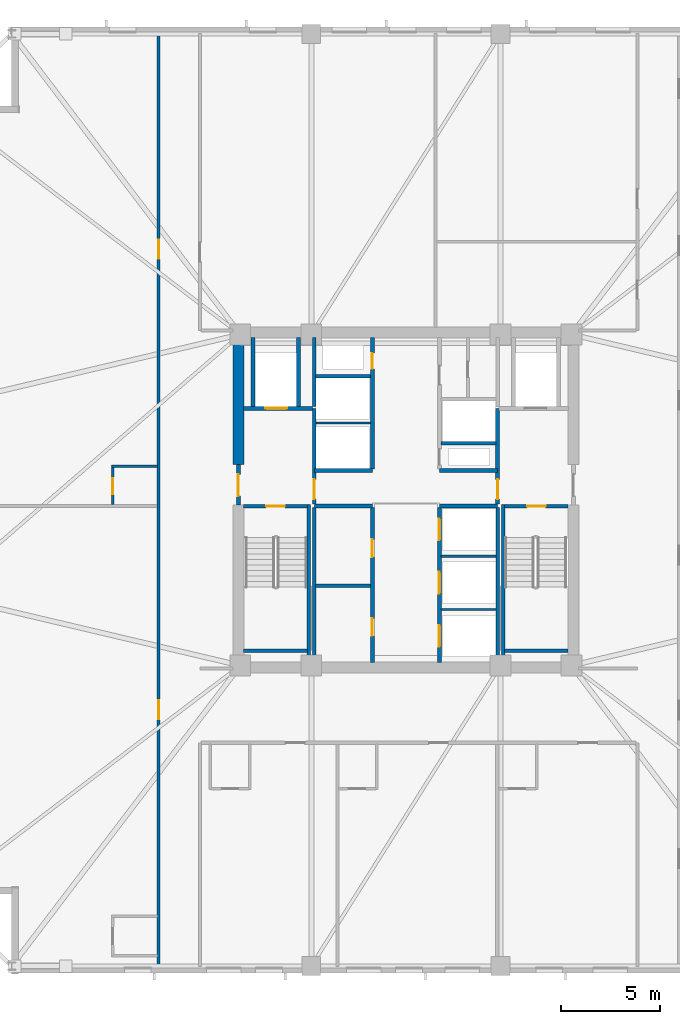
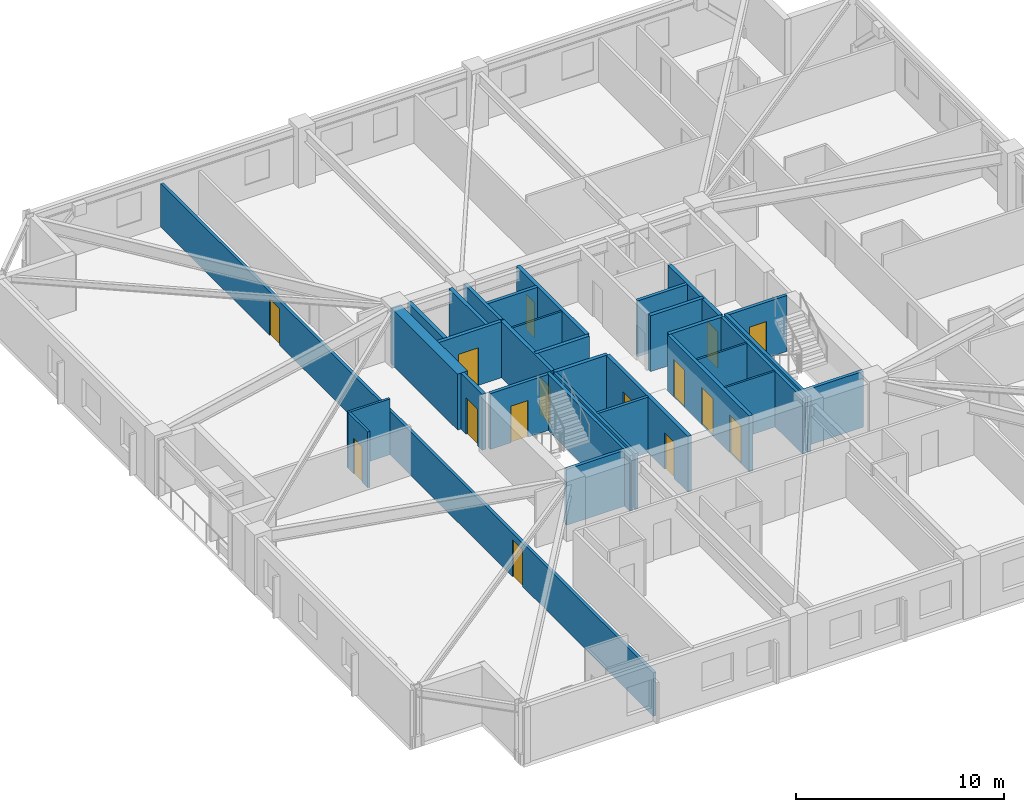
# One storey, part 3 of 11: 32 walls, 15 doors, 15 openings.
"""IFC4 building model written with IfcOpenShell, lengths in metres."""

import ifcopenshell
import ifcopenshell.guid

model = None  # the IFC model being written
_history = None  # IfcOwnerHistory: only IFC2X3 demands one
_inside = {}  # id of a spatial element -> (the spatial element, [elements in it])
_under = {}  # id of a project, library or spatial element -> (it, [spatial elements below it])
_declared = {}  # id of a project -> (the project, [libraries it declares])
_typed = {}  # id of a type object -> (the type object, [elements of that type])
_made_of = {}  # id of a material, layer set ... -> (it, [elements and type objects made of it])


def new_model(schema):
    """Start an empty IFC model of exactly this schema.

    Asked for "IFC4X3", IfcOpenShell would pick the latest addendum, in which some entities
    have other attributes; the version numbers below select the first issue.
    IFC2X3 requires an IfcOwnerHistory on every rooted entity: one is made here for all.
    """
    global model, _history
    if schema == "IFC4X3":
        model = ifcopenshell.file(schema_version=(4, 3, 0, 0))
    else:
        model = ifcopenshell.file(schema=schema)
    _inside.clear()
    _under.clear()
    _declared.clear()
    _typed.clear()
    _made_of.clear()
    _history = None
    if model.schema == "IFC2X3":
        org = make("IfcOrganization", Name="unknown")
        user = make(
            "IfcPersonAndOrganization",
            ThePerson=make("IfcPerson", FamilyName="unknown"),
            TheOrganization=org,
        )
        app = make(
            "IfcApplication",
            ApplicationDeveloper=org,
            Version="unknown",
            ApplicationFullName="unknown",
            ApplicationIdentifier="unknown",
        )
        _history = make(
            "IfcOwnerHistory",
            OwningUser=user,
            OwningApplication=app,
            ChangeAction="ADDED",
            CreationDate=0,
        )
    return model


def make(cls, **values):
    """One entity of the class cls with the attributes given. An attribute that is None is left unset."""
    return model.create_entity(
        cls, **{name: value for name, value in values.items() if value is not None}
    )


def rooted(cls, **values):
    """An entity with a GlobalId (a new one), such as an element, a storey or a relation."""
    return make(cls, GlobalId=ifcopenshell.guid.new(), OwnerHistory=_history, **values)


def si_unit(unit_type, name, prefix=None):
    """IfcSIUnit, for example si_unit("LENGTHUNIT", "METRE", prefix="MILLI")."""
    return make("IfcSIUnit", UnitType=unit_type, Prefix=prefix, Name=name)


def assignment(units):
    """IfcUnitAssignment: the units of a project."""
    return None if units is None else make("IfcUnitAssignment", Units=units)


def point(xyz):
    """IfcCartesianPoint."""
    return None if xyz is None else make("IfcCartesianPoint", Coordinates=xyz)


def direction(xyz):
    """IfcDirection."""
    return None if xyz is None else make("IfcDirection", DirectionRatios=xyz)


def frame(location, z_axis=None, x_axis=None):
    """IfcAxis2Placement3D, a coordinate frame: its origin and axes. An axis left out is left unset."""
    return make(
        "IfcAxis2Placement3D",
        Location=point(location),
        Axis=direction(z_axis),
        RefDirection=direction(x_axis),
    )


def frame_2d(location, x_axis=None):
    """IfcAxis2Placement2D, a coordinate frame in the plane: its origin and x axis."""
    return make(
        "IfcAxis2Placement2D", Location=point(location), RefDirection=direction(x_axis)
    )


def origin():
    """The frame at (0, 0, 0) with its axes left unset."""
    return frame((0.0, 0.0, 0.0))


def place(relative_to, where):
    """IfcLocalPlacement: puts the frame where relative to a parent placement (None: the world)."""
    return make(
        "IfcLocalPlacement", PlacementRelTo=relative_to, RelativePlacement=where
    )


def context(
    kind, dimensions, precision=None, world=None, true_north=None, identifier=None
):
    """IfcGeometricRepresentationContext, for example the 3D "Model" context."""
    return make(
        "IfcGeometricRepresentationContext",
        ContextIdentifier=identifier,
        ContextType=kind,
        CoordinateSpaceDimension=dimensions,
        Precision=precision,
        WorldCoordinateSystem=world,
        TrueNorth=true_north,
    )


def subcontext(parent, identifier, kind, view, scale=None):
    """IfcGeometricRepresentationSubContext, for example "Body" below "Model"."""
    return make(
        "IfcGeometricRepresentationSubContext",
        ContextIdentifier=identifier,
        ContextType=kind,
        ParentContext=parent,
        TargetScale=scale,
        TargetView=view,
    )


def project(units=None, contexts=None):
    """IfcProject with its units and contexts."""
    return rooted(
        "IfcProject",
        Name="project",
        RepresentationContexts=contexts,
        UnitsInContext=assignment(units),
    )


def spatial(cls, under=None, at=None, **own):
    """A site, building, storey or space (cls), placed at a placement, below another one or the project."""
    s = rooted(cls, ObjectPlacement=at, **own)
    if under is not None:
        _under.setdefault(under.id(), (under, []))[1].append(s)
    return s


def profile(cls, at=None, kind="AREA", **sizes):
    """A parametric profile (cls). Its sizes go by their IFC names, for example OverallWidth=200.0."""
    return make(cls, ProfileType=kind, Position=at, **sizes)


def rectangle(**sizes):
    """IfcRectangleProfileDef."""
    return profile("IfcRectangleProfileDef", **sizes)


def extrude(swept, where, along, depth):
    """IfcExtrudedAreaSolid: the profile swept, set in the frame where, extruded along a direction by depth."""
    return make(
        "IfcExtrudedAreaSolid",
        SweptArea=swept,
        Position=where,
        ExtrudedDirection=direction(along),
        Depth=depth,
    )


def shape(context_of_items, identifier, shape_type, items):
    """IfcShapeRepresentation: the items that make up one representation, for example the "Body"."""
    return make(
        "IfcShapeRepresentation",
        ContextOfItems=context_of_items,
        RepresentationIdentifier=identifier,
        RepresentationType=shape_type,
        Items=items,
    )


def material(Name=None, Category=None):
    """IfcMaterial."""
    return make("IfcMaterial", Name=Name, Category=Category)


def layer(
    of_material, thickness, ventilated=None, Name=None, Category=None, Priority=None
):
    """IfcMaterialLayer: one layer of a wall or slab, of a material (None: an air gap)."""
    return make(
        "IfcMaterialLayer",
        Material=of_material,
        LayerThickness=thickness,
        IsVentilated=ventilated,
        Name=Name,
        Category=Category,
        Priority=Priority,
    )


def layer_set(layers, Name=None):
    """IfcMaterialLayerSet."""
    return make("IfcMaterialLayerSet", MaterialLayers=layers, LayerSetName=Name)


def made_of(thing, what):
    """Note that an element or type object is made of a material, layer set ...; save() writes the relation."""
    if what is not None:
        _made_of.setdefault(what.id(), (what, []))[1].append(thing)
    return thing


def type_object(cls, material=None, **own):
    """A type object (cls), such as IfcWallType, which elements share."""
    return made_of(rooted(cls, **own), material)


def element(
    cls,
    number,
    at=None,
    inside=None,
    cuts=None,
    type_object=None,
    material=None,
    context=None,
    identifier="Body",
    shape_type=None,
    held_by="IfcProductDefinitionShape",
    body=None,
    shapes=None,
    **own,
):
    """One element of the class cls, such as IfcWall. Its Tag is "e" and its number.

    at: its placement. inside: the storey or other place that contains it. cuts: it is an
    opening in that element (IfcRelVoidsElement). A single representation is given by context,
    identifier, shape_type and body (its items); several are given by shapes. held_by: the class
    of the entity that holds the representations. save() writes the other relations.
    """
    e = rooted(cls, Tag="e%d" % number, ObjectPlacement=at, **own)
    if body is not None:
        shapes = [shape(context, identifier, shape_type, body)]
    if shapes is not None:
        e.Representation = make(held_by, Representations=shapes)
    if inside is not None:
        _inside.setdefault(inside.id(), (inside, []))[1].append(e)
    if cuts is not None:
        rooted(
            "IfcRelVoidsElement", RelatingBuildingElement=cuts, RelatedOpeningElement=e
        )
    if type_object is not None:
        _typed.setdefault(type_object.id(), (type_object, []))[1].append(e)
    return made_of(e, material)


def fill(opening, filler):
    """IfcRelFillsElement: the door or window that sits in an opening."""
    return rooted(
        "IfcRelFillsElement",
        RelatingOpeningElement=opening,
        RelatedBuildingElement=filler,
    )


def aggregate(whole, parts):
    """IfcRelAggregates: a whole, such as a stair, and the parts it consists of."""
    return rooted("IfcRelAggregates", RelatingObject=whole, RelatedObjects=parts)


def save(model, path):
    """Write the relations noted so far, then the file.

    IfcRelAggregates (storeys below a building ...), IfcRelContainedInSpatialStructure (elements
    in a storey), IfcRelDefinesByType, IfcRelAssociatesMaterial and IfcRelDeclares: one each for
    every whole, place, type object, material and project.
    """
    for whole, parts in _under.values():
        aggregate(whole, parts)
    for where, things in _inside.values():
        rooted(
            "IfcRelContainedInSpatialStructure",
            RelatedElements=things,
            RelatingStructure=where,
        )
    for kind, things in _typed.values():
        rooted("IfcRelDefinesByType", RelatedObjects=things, RelatingType=kind)
    for what, things in _made_of.values():
        rooted("IfcRelAssociatesMaterial", RelatedObjects=things, RelatingMaterial=what)
    for by, libraries in _declared.values():
        rooted("IfcRelDeclares", RelatingContext=by, RelatedDefinitions=libraries)
    model.write(path)


model = new_model("IFC4")

# Units and contexts
model_context = context("Model", 3, precision=1e-05, world=origin(), true_north=direction((0.0, 1.0)))
body_context = subcontext(model_context, "Body", "Model", "MODEL_VIEW")
ifc_project = project(units=[si_unit("LENGTHUNIT", "METRE"), si_unit("AREAUNIT", "SQUARE_METRE"), si_unit("VOLUMEUNIT", "CUBIC_METRE"), si_unit("PLANEANGLEUNIT", "RADIAN"), si_unit("MASSUNIT", "GRAM", prefix="KILO")], contexts=[model_context])

# Site, building, storey
site_placement = place(None, origin())
site = spatial("IfcSite", under=ifc_project, at=site_placement, CompositionType="ELEMENT")
building_placement = place(site_placement, origin())
building = spatial("IfcBuilding", under=site, at=building_placement, Name="Cairnveth Concourse Tower", CompositionType="ELEMENT")
storey_placement = place(building_placement, frame((0.0, 0.0, 127.0)))
storey = spatial("IfcBuildingStorey", under=building, at=storey_placement, Name="L34", CompositionType="ELEMENT", Elevation=127.0)

# Walls
ifc_material_1 = material(Name="Gypsum Plasterboard Partition", Category="gypsum")
ifc_layer_1 = layer(ifc_material_1, 0.159912109375)
ifc_layer_set_1 = layer_set([ifc_layer_1], Name="Gypsum Plasterboard Partition")
wall_type_1 = type_object("IfcWallType", Name="ACOUSTIC PARTY WALL 180", PredefinedType="PARTITIONING", material=ifc_layer_set_1)
wall_1_placement = place(storey_placement, frame((47.35009765625, 30.760009765625, 0.0), z_axis=(0.0, 0.0, 1.0), x_axis=(0.0, 1.0, 0.0)))
element("IfcWall", 1, at=wall_1_placement, inside=storey, type_object=wall_type_1, Name="Interior Wall IW-L34-025", PredefinedType="PARTITIONING", context=body_context, shape_type="SweptSolid", body=[
    extrude(rectangle(XDim=7.85498046875, YDim=0.159912109375, at=frame_2d((3.927490234375, 0.0))), origin(), (0.0, 0.0, 1.0), 3.280029296875),
])
wall_2_placement = place(storey_placement, frame((47.4150390625, 34.64990234375, 0.0), z_axis=(0.0, 0.0, 1.0), x_axis=(1.0, 0.0, 0.0)))
element("IfcWall", 2, at=wall_2_placement, inside=storey, type_object=wall_type_1, Name="Interior Wall IW-L34-026", PredefinedType="PARTITIONING", context=body_context, shape_type="SweptSolid", body=[
    extrude(rectangle(XDim=2.800048828125, YDim=0.159912109375, at=frame_2d((1.39990234375, 0.0))), origin(), (0.0, 0.0, 1.0), 3.280029296875),
])

# Wall, openings, doors
wall_3_placement = place(storey_placement, frame((39.449951171875, 15.324951171875, 0.0), z_axis=(0.0, 0.0, 1.0), x_axis=(0.0, 1.0, 0.0)))
wall_3 = element("IfcWall", 3, at=wall_3_placement, inside=storey, type_object=wall_type_1, Name="Interior Wall IW-L34-037", PredefinedType="PARTITIONING", context=body_context, shape_type="SweptSolid", body=[
    extrude(rectangle(XDim=47.35009765625, YDim=0.159912109375, at=frame_2d((23.675048828125, 0.0))), origin(), (0.0, 0.0, 1.0), 2.554931640625),
])
opening_1_placement = place(wall_3_placement, frame((12.55712890625, 0.0, 0.0)))
opening_1 = element("IfcOpeningElement", 4, at=opening_1_placement, cuts=wall_3, Name="Opening ID09", PredefinedType="OPENING", context=body_context, shape_type="SweptSolid", body=[
    extrude(rectangle(XDim=0.9599609375, YDim=2.14990234375, at=frame_2d((0.47998046875, 1.074951171875))), frame((0.0, 0.08984375, 0.0), z_axis=(0.0, -1.0, 0.0), x_axis=(1.0, 0.0, 0.0)), (0.0, 0.0, 1.0), 0.179931640625),
])
opening_2_placement = place(wall_3_placement, frame((35.912109375, 0.0, 0.0)))
opening_2 = element("IfcOpeningElement", 5, at=opening_2_placement, cuts=wall_3, Name="Opening ID09", PredefinedType="OPENING", context=body_context, shape_type="SweptSolid", body=[
    extrude(rectangle(XDim=0.9599609375, YDim=2.14990234375, at=frame_2d((0.47998046875, 1.074951171875))), frame((0.0, 0.08984375, 0.0), z_axis=(0.0, -1.0, 0.0), x_axis=(1.0, 0.0, 0.0)), (0.0, 0.0, 1.0), 0.179931640625),
])
ifc_material_2 = material(Name="Solid Core Hardwood Timber Leaf", Category="wood")
door_type_1 = type_object("IfcDoorType", Name="HOTEL ENTRANCE DOOR 960X2150", OperationType="NOTDEFINED", PredefinedType="DOOR", material=ifc_material_2)
door_1_placement = place(opening_1_placement, origin())
door_1 = element("IfcDoor", 6, at=door_1_placement, inside=storey, type_object=door_type_1, Name="Hotel Room Door L34-W1", OperationType="SINGLE_SWING_RIGHT", OverallHeight=2.14990234375, OverallWidth=0.9599609375, PredefinedType="DOOR", context=body_context, shape_type="SweptSolid", body=[
    extrude(rectangle(XDim=0.9599609375, YDim=2.14990234375, at=frame_2d((0.47998046875, 1.074951171875))), frame((0.0, 0.02490234375, 0.0), z_axis=(0.0, -1.0, 0.0), x_axis=(1.0, 0.0, 0.0)), (0.0, 0.0, 1.0), 0.050048828125),
])
fill(opening_1, door_1)
door_2_placement = place(opening_2_placement, origin())
door_2 = element("IfcDoor", 7, at=door_2_placement, inside=storey, type_object=door_type_1, Name="Hotel Room Door L34-W2", OperationType="SINGLE_SWING_RIGHT", OverallHeight=2.14990234375, OverallWidth=0.9599609375, PredefinedType="DOOR", context=body_context, shape_type="SweptSolid", body=[
    extrude(rectangle(XDim=0.9599609375, YDim=2.14990234375, at=frame_2d((0.47998046875, 1.074951171875))), frame((0.0, 0.02490234375, 0.0), z_axis=(0.0, -1.0, 0.0), x_axis=(1.0, 0.0, 0.0)), (0.0, 0.0, 1.0), 0.050048828125),
])
fill(opening_2, door_2)

# Walls
ifc_material_3 = material(Name="Concrete N80 (80 MPa)", Category="concrete")
ifc_layer_2 = layer(ifc_material_3, 0.550048828125)
ifc_layer_set_2 = layer_set([ifc_layer_2], Name="Concrete N80 (80 MPa)")
wall_type_2 = type_object("IfcWallType", Name="CORE SHEAR WALL 550", PredefinedType="SHEAR", material=ifc_layer_set_2)
wall_4_placement = place(storey_placement, frame((43.5, 40.800048828125, 0.0), z_axis=(0.0, 0.0, 1.0), x_axis=(0.0, 1.0, 0.0)))
element("IfcWall", 8, at=wall_4_placement, inside=storey, type_object=wall_type_2, Name="Core West Shear Wall N L34", PredefinedType="SHEAR", context=body_context, shape_type="SweptSolid", body=[
    extrude(rectangle(XDim=6.43505859375, YDim=0.550048828125, at=frame_2d((3.217529296875, 0.0))), origin(), (0.0, 0.0, 1.0), 3.280029296875),
])
ifc_material_4 = material(Name="Concrete N50 (50 MPa)", Category="concrete")
ifc_layer_3 = layer(ifc_material_4, 0.179931640625)
ifc_layer_set_3 = layer_set([ifc_layer_3], Name="Concrete N50 (50 MPa)")
wall_type_3 = type_object("IfcWallType", Name="FIRE SHAFT WALL 180", PredefinedType="SOLIDWALL", material=ifc_layer_set_3)
wall_5_placement = place(storey_placement, frame((56.64990234375, 30.760009765625, 0.0), z_axis=(0.0, 0.0, 1.0), x_axis=(0.0, 1.0, 0.0)))
element("IfcWall", 9, at=wall_5_placement, inside=storey, type_object=wall_type_3, Name="Interior Wall IW-L34-027", PredefinedType="SOLIDWALL", context=body_context, shape_type="SweptSolid", body=[
    extrude(rectangle(XDim=7.85498046875, YDim=0.179931640625, at=frame_2d((3.927490234375, 0.0))), origin(), (0.0, 0.0, 1.0), 3.280029296875),
])
wall_6_placement = place(storey_placement, frame((47.35009765625, 43.735107421875, 0.0), z_axis=(0.0, 0.0, 1.0), x_axis=(0.0, 1.0, 0.0)))
element("IfcWall", 10, at=wall_6_placement, inside=storey, type_object=wall_type_3, Name="Interior Wall IW-L34-030", PredefinedType="SOLIDWALL", context=body_context, shape_type="SweptSolid", body=[
    extrude(rectangle(XDim=3.5048828125, YDim=0.179931640625, at=frame_2d((1.75244140625, 0.0))), origin(), (0.0, 0.0, 1.0), 3.280029296875),
])
wall_7_placement = place(storey_placement, frame((47.425048828125, 45.280029296875, 0.0), z_axis=(0.0, 0.0, 1.0), x_axis=(1.0, 0.0, 0.0)))
element("IfcWall", 11, at=wall_7_placement, inside=storey, type_object=wall_type_3, Name="Interior Wall IW-L34-032", PredefinedType="SOLIDWALL", context=body_context, shape_type="SweptSolid", body=[
    extrude(rectangle(XDim=2.7900390625, YDim=0.179931640625, at=frame_2d((1.39501953125, 0.0))), origin(), (0.0, 0.0, 1.0), 3.280029296875),
])
wall_8_placement = place(storey_placement, frame((53.784912109375, 41.8798828125, 0.0), z_axis=(0.0, 0.0, 1.0), x_axis=(1.0, 0.0, 0.0)))
element("IfcWall", 12, at=wall_8_placement, inside=storey, type_object=wall_type_3, Name="Interior Wall IW-L34-034", PredefinedType="SOLIDWALL", context=body_context, shape_type="SweptSolid", body=[
    extrude(rectangle(XDim=2.780029296875, YDim=0.179931640625, at=frame_2d((1.39013671875, 0.0))), origin(), (0.0, 0.0, 1.0), 3.280029296875),
])

# Wall, opening, door
wall_9_placement = place(storey_placement, frame((43.764892578125, 38.68994140625, 0.0), z_axis=(0.0, 0.0, 1.0), x_axis=(1.0, 0.0, 0.0)))
wall_9 = element("IfcWall", 13, at=wall_9_placement, inside=storey, type_object=wall_type_3, Name="Stair ST-1 Shaft Wall NEAR L34", PredefinedType="SOLIDWALL", context=body_context, shape_type="SweptSolid", body=[
    extrude(rectangle(XDim=3.230224609375, YDim=0.179931640625, at=frame_2d((1.615234375, 0.0))), origin(), (0.0, 0.0, 1.0), 3.280029296875),
])
opening_3_placement = place(wall_9_placement, frame((1.139892578125, 0.0, 0.0)))
opening_3 = element("IfcOpeningElement", 14, at=opening_3_placement, cuts=wall_9, Name="Opening ID12", PredefinedType="OPENING", context=body_context, shape_type="SweptSolid", body=[
    extrude(rectangle(XDim=0.949951171875, YDim=2.14990234375, at=frame_2d((0.47509765625, 1.074951171875))), frame((0.0, 0.099853515625, 0.0), z_axis=(0.0, -1.0, 0.0), x_axis=(1.0, 0.0, 0.0)), (0.0, 0.0, 1.0), 0.199951171875),
])
ifc_material_5 = material(Name="Steel Grade 350", Category="steel")
door_type_2 = type_object("IfcDoorType", Name="FIRE STAIR DOOR 950X2150", OperationType="NOTDEFINED", PredefinedType="DOOR", material=ifc_material_5)
door_3_placement = place(opening_3_placement, origin())
door_3 = element("IfcDoor", 15, at=door_3_placement, inside=storey, type_object=door_type_2, Name="Stair ST-1 Fire Door L34", OperationType="SINGLE_SWING_LEFT", OverallHeight=2.14990234375, OverallWidth=0.949951171875, PredefinedType="DOOR", context=body_context, shape_type="SweptSolid", body=[
    extrude(rectangle(XDim=0.949951171875, YDim=2.14990234375, at=frame_2d((0.47509765625, 1.074951171875))), frame((0.0, 0.02490234375, 0.0), z_axis=(0.0, -1.0, 0.0), x_axis=(1.0, 0.0, 0.0)), (0.0, 0.0, 1.0), 0.050048828125),
])
fill(opening_3, door_3)

# Walls
wall_10_placement = place(storey_placement, frame((43.764892578125, 31.360107421875, 0.0), z_axis=(0.0, 0.0, 1.0), x_axis=(1.0, 0.0, 0.0)))
element("IfcWall", 16, at=wall_10_placement, inside=storey, type_object=wall_type_3, Name="Stair ST-1 Shaft Wall FAR L34", PredefinedType="SOLIDWALL", context=body_context, shape_type="SweptSolid", body=[
    extrude(rectangle(XDim=3.230224609375, YDim=0.179931640625, at=frame_2d((1.615234375, 0.0))), origin(), (0.0, 0.0, 1.0), 3.280029296875),
])
wall_11_placement = place(storey_placement, frame((47.070068359375, 38.780029296875, 0.0), z_axis=(0.0, 0.0, 1.0), x_axis=(0.0, -1.0, 0.0)))
element("IfcWall", 17, at=wall_11_placement, inside=storey, type_object=wall_type_3, Name="Stair ST-1 Shaft Wall RGHT L34", PredefinedType="SOLIDWALL", context=body_context, shape_type="SweptSolid", body=[
    extrude(rectangle(XDim=8.01708984375, YDim=0.179931640625, at=frame_2d((4.008544921875, 0.0))), origin(), (0.0, 0.0, 1.0), 3.280029296875),
])

# Wall, opening, door
wall_12_placement = place(storey_placement, frame((57.0048828125, 38.68994140625, 0.0), z_axis=(0.0, 0.0, 1.0), x_axis=(1.0, 0.0, 0.0)))
wall_12 = element("IfcWall", 18, at=wall_12_placement, inside=storey, type_object=wall_type_3, Name="Stair ST-2 Shaft Wall NEAR L34", PredefinedType="SOLIDWALL", context=body_context, shape_type="SweptSolid", body=[
    extrude(rectangle(XDim=3.230224609375, YDim=0.179931640625, at=frame_2d((1.615234375, 0.0))), origin(), (0.0, 0.0, 1.0), 3.280029296875),
])
opening_4_placement = place(wall_12_placement, frame((1.139892578125, 0.0, 0.0)))
opening_4 = element("IfcOpeningElement", 19, at=opening_4_placement, cuts=wall_12, Name="Opening ID12", PredefinedType="OPENING", context=body_context, shape_type="SweptSolid", body=[
    extrude(rectangle(XDim=0.949951171875, YDim=2.14990234375, at=frame_2d((0.47509765625, 1.074951171875))), frame((0.0, 0.099853515625, 0.0), z_axis=(0.0, -1.0, 0.0), x_axis=(1.0, 0.0, 0.0)), (0.0, 0.0, 1.0), 0.199951171875),
])
door_4_placement = place(opening_4_placement, origin())
door_4 = element("IfcDoor", 20, at=door_4_placement, inside=storey, type_object=door_type_2, Name="Stair ST-2 Fire Door L34", OperationType="SINGLE_SWING_RIGHT", OverallHeight=2.14990234375, OverallWidth=0.949951171875, PredefinedType="DOOR", context=body_context, shape_type="SweptSolid", body=[
    extrude(rectangle(XDim=0.949951171875, YDim=2.14990234375, at=frame_2d((0.47509765625, 1.074951171875))), frame((0.0, 0.02490234375, 0.0), z_axis=(0.0, -1.0, 0.0), x_axis=(1.0, 0.0, 0.0)), (0.0, 0.0, 1.0), 0.050048828125),
])
fill(opening_4, door_4)

# Walls
wall_13_placement = place(storey_placement, frame((57.0048828125, 31.360107421875, 0.0), z_axis=(0.0, 0.0, 1.0), x_axis=(1.0, 0.0, 0.0)))
element("IfcWall", 21, at=wall_13_placement, inside=storey, type_object=wall_type_3, Name="Stair ST-2 Shaft Wall FAR L34", PredefinedType="SOLIDWALL", context=body_context, shape_type="SweptSolid", body=[
    extrude(rectangle(XDim=3.230224609375, YDim=0.179931640625, at=frame_2d((1.615234375, 0.0))), origin(), (0.0, 0.0, 1.0), 3.280029296875),
])
wall_14_placement = place(storey_placement, frame((56.929931640625, 38.780029296875, 0.0), z_axis=(0.0, 0.0, 1.0), x_axis=(0.0, -1.0, 0.0)))
element("IfcWall", 22, at=wall_14_placement, inside=storey, type_object=wall_type_3, Name="Stair ST-2 Shaft Wall LEFT L34", PredefinedType="SOLIDWALL", context=body_context, shape_type="SweptSolid", body=[
    extrude(rectangle(XDim=8.01708984375, YDim=0.179931640625, at=frame_2d((4.008544921875, 0.0))), origin(), (0.0, 0.0, 1.0), 3.280029296875),
])
ifc_layer_4 = layer(ifc_material_4, 0.199951171875)
ifc_layer_set_4 = layer_set([ifc_layer_4], Name="Concrete N50 (50 MPa)")
wall_type_4 = type_object("IfcWallType", Name="FIRE SHAFT WALL 200", PredefinedType="SOLIDWALL", material=ifc_layer_set_4)
for number, where, z_axis, x_axis, name in (
    (23, (47.35009765625, 38.699951171875, 0.0), (0.0, 0.0, 1.0), (1.0, 0.0, 0.0), "Interior Wall IW-L34-007"),
    (24, (47.35009765625, 40.5, 0.0), (0.0, 0.0, 1.0), (1.0, 0.0, 0.0), "Interior Wall IW-L34-008"),
    (25, (53.699951171875, 38.699951171875, 0.0), (0.0, 0.0, 1.0), (1.0, 0.0, 0.0), "Interior Wall IW-L34-009"),
    (26, (53.699951171875, 40.5, 0.0), (0.0, 0.0, 1.0), (1.0, 0.0, 0.0), "Interior Wall IW-L34-010"),
):
    element("IfcWall", number, at=place(storey_placement, frame(where, z_axis=z_axis, x_axis=x_axis)), inside=storey, type_object=wall_type_4, Name=name, PredefinedType="SOLIDWALL", context=body_context, shape_type="SweptSolid", body=[
        extrude(rectangle(XDim=2.949951171875, YDim=0.199951171875, at=frame_2d((1.47509765625, 0.0))), origin(), (0.0, 0.0, 1.0), 3.280029296875),
    ])

# Wall, openings, doors
wall_15_placement = place(storey_placement, frame((50.300048828125, 30.760009765625, 0.0), z_axis=(0.0, 0.0, 1.0), x_axis=(0.0, 1.0, 0.0)))
wall_15 = element("IfcWall", 27, at=wall_15_placement, inside=storey, type_object=wall_type_4, Name="Interior Wall IW-L34-011", PredefinedType="SOLIDWALL", context=body_context, shape_type="SweptSolid", body=[
    extrude(rectangle(XDim=7.85498046875, YDim=0.199951171875, at=frame_2d((3.927490234375, 0.0))), origin(), (0.0, 0.0, 1.0), 3.280029296875),
])
opening_5_placement = place(wall_15_placement, frame((1.340087890625, 0.0, 0.0)))
opening_5 = element("IfcOpeningElement", 28, at=opening_5_placement, cuts=wall_15, Name="Opening ID26", PredefinedType="OPENING", context=body_context, shape_type="SweptSolid", body=[
    extrude(rectangle(XDim=0.89990234375, YDim=2.1201171875, at=frame_2d((0.449951171875, 1.06005859375))), frame((0.0, 0.10986328125, 0.0), z_axis=(0.0, -1.0, 0.0), x_axis=(1.0, 0.0, 0.0)), (0.0, 0.0, 1.0), 0.219970703125),
])
opening_6_placement = place(wall_15_placement, frame((5.340087890625, 0.0, 0.0)))
opening_6 = element("IfcOpeningElement", 29, at=opening_6_placement, cuts=wall_15, Name="Opening ID26", PredefinedType="OPENING", context=body_context, shape_type="SweptSolid", body=[
    extrude(rectangle(XDim=0.89990234375, YDim=2.1201171875, at=frame_2d((0.449951171875, 1.06005859375))), frame((0.0, 0.10986328125, 0.0), z_axis=(0.0, -1.0, 0.0), x_axis=(1.0, 0.0, 0.0)), (0.0, 0.0, 1.0), 0.219970703125),
])
door_type_3 = type_object("IfcDoorType", Name="CORE TOILET FIRE DOOR 900X2120", OperationType="NOTDEFINED", PredefinedType="DOOR", material=ifc_material_5)
door_5_placement = place(opening_5_placement, origin())
door_5 = element("IfcDoor", 30, at=door_5_placement, inside=storey, type_object=door_type_3, Name="Male WC Door L34", OperationType="SINGLE_SWING_LEFT", OverallHeight=2.1201171875, OverallWidth=0.89990234375, PredefinedType="DOOR", context=body_context, shape_type="SweptSolid", body=[
    extrude(rectangle(XDim=0.89990234375, YDim=2.1201171875, at=frame_2d((0.449951171875, 1.06005859375))), frame((0.0, 0.02490234375, 0.0), z_axis=(0.0, -1.0, 0.0), x_axis=(1.0, 0.0, 0.0)), (0.0, 0.0, 1.0), 0.050048828125),
])
fill(opening_5, door_5)
door_6_placement = place(opening_6_placement, origin())
door_6 = element("IfcDoor", 31, at=door_6_placement, inside=storey, type_object=door_type_3, Name="Female WC Door L34", OperationType="SINGLE_SWING_RIGHT", OverallHeight=2.1201171875, OverallWidth=0.89990234375, PredefinedType="DOOR", context=body_context, shape_type="SweptSolid", body=[
    extrude(rectangle(XDim=0.89990234375, YDim=2.1201171875, at=frame_2d((0.449951171875, 1.06005859375))), frame((0.0, 0.02490234375, 0.0), z_axis=(0.0, -1.0, 0.0), x_axis=(1.0, 0.0, 0.0)), (0.0, 0.0, 1.0), 0.050048828125),
])
fill(opening_6, door_6)

wall_16_placement = place(storey_placement, frame((53.699951171875, 30.760009765625, 0.0), z_axis=(0.0, 0.0, 1.0), x_axis=(0.0, 1.0, 0.0)))
wall_16 = element("IfcWall", 32, at=wall_16_placement, inside=storey, type_object=wall_type_4, Name="Interior Wall IW-L34-012", PredefinedType="SOLIDWALL", context=body_context, shape_type="SweptSolid", body=[
    extrude(rectangle(XDim=7.85498046875, YDim=0.199951171875, at=frame_2d((3.927490234375, 0.0))), origin(), (0.0, 0.0, 1.0), 3.280029296875),
])
opening_7_placement = place(wall_16_placement, frame((0.7900390625, 0.0, 0.0)))
opening_7 = element("IfcOpeningElement", 33, at=opening_7_placement, cuts=wall_16, Name="Opening LD-1", PredefinedType="OPENING", context=body_context, shape_type="SweptSolid", body=[
    extrude(rectangle(XDim=1.10009765625, YDim=2.199951171875, at=frame_2d((0.550048828125, 1.10009765625))), frame((0.0, 0.10986328125, 0.0), z_axis=(0.0, -1.0, 0.0), x_axis=(1.0, 0.0, 0.0)), (0.0, 0.0, 1.0), 0.219970703125),
])
opening_8_placement = place(wall_16_placement, frame((3.489990234375, 0.0, 0.0)))
opening_8 = element("IfcOpeningElement", 34, at=opening_8_placement, cuts=wall_16, Name="Opening LD-1", PredefinedType="OPENING", context=body_context, shape_type="SweptSolid", body=[
    extrude(rectangle(XDim=1.10009765625, YDim=2.199951171875, at=frame_2d((0.550048828125, 1.10009765625))), frame((0.0, 0.10986328125, 0.0), z_axis=(0.0, -1.0, 0.0), x_axis=(1.0, 0.0, 0.0)), (0.0, 0.0, 1.0), 0.219970703125),
])
opening_9_placement = place(wall_16_placement, frame((6.18994140625, 0.0, 0.0)))
opening_9 = element("IfcOpeningElement", 35, at=opening_9_placement, cuts=wall_16, Name="Opening LD-1", PredefinedType="OPENING", context=body_context, shape_type="SweptSolid", body=[
    extrude(rectangle(XDim=1.10009765625, YDim=2.199951171875, at=frame_2d((0.550048828125, 1.10009765625))), frame((0.0, 0.10986328125, 0.0), z_axis=(0.0, -1.0, 0.0), x_axis=(1.0, 0.0, 0.0)), (0.0, 0.0, 1.0), 0.219970703125),
])
ifc_material_6 = material(Name="Architectural Bronze Anodised Aluminium 6063-T6", Category="aluminium")
door_type_4 = type_object("IfcDoorType", Name="LIFT LANDING DOOR 1100X2200", OperationType="SLIDING_TO_LEFT", PredefinedType="DOOR", material=ifc_material_6)
door_7_placement = place(opening_7_placement, origin())
door_7 = element("IfcDoor", 36, at=door_7_placement, inside=storey, type_object=door_type_4, Name="Lift PL4 Landing Door L34", OperationType="SLIDING_TO_LEFT", OverallHeight=2.199951171875, OverallWidth=1.10009765625, PredefinedType="DOOR", context=body_context, shape_type="SweptSolid", body=[
    extrude(rectangle(XDim=1.10009765625, YDim=2.199951171875, at=frame_2d((0.550048828125, 1.10009765625))), frame((0.0, 0.02490234375, 0.0), z_axis=(0.0, -1.0, 0.0), x_axis=(1.0, 0.0, 0.0)), (0.0, 0.0, 1.0), 0.050048828125),
])
fill(opening_7, door_7)
door_8_placement = place(opening_8_placement, origin())
door_8 = element("IfcDoor", 37, at=door_8_placement, inside=storey, type_object=door_type_4, Name="Lift PL5 Landing Door L34", OperationType="SLIDING_TO_LEFT", OverallHeight=2.199951171875, OverallWidth=1.10009765625, PredefinedType="DOOR", context=body_context, shape_type="SweptSolid", body=[
    extrude(rectangle(XDim=1.10009765625, YDim=2.199951171875, at=frame_2d((0.550048828125, 1.10009765625))), frame((0.0, 0.02490234375, 0.0), z_axis=(0.0, -1.0, 0.0), x_axis=(1.0, 0.0, 0.0)), (0.0, 0.0, 1.0), 0.050048828125),
])
fill(opening_8, door_8)
door_9_placement = place(opening_9_placement, origin())
door_9 = element("IfcDoor", 38, at=door_9_placement, inside=storey, type_object=door_type_4, Name="Lift PL6 Landing Door L34", OperationType="SLIDING_TO_LEFT", OverallHeight=2.199951171875, OverallWidth=1.10009765625, PredefinedType="DOOR", context=body_context, shape_type="SweptSolid", body=[
    extrude(rectangle(XDim=1.10009765625, YDim=2.199951171875, at=frame_2d((0.550048828125, 1.10009765625))), frame((0.0, 0.02490234375, 0.0), z_axis=(0.0, -1.0, 0.0), x_axis=(1.0, 0.0, 0.0)), (0.0, 0.0, 1.0), 0.050048828125),
])
fill(opening_9, door_9)

# Wall, opening, door
wall_17_placement = place(storey_placement, frame((50.300048828125, 40.5849609375, 0.0), z_axis=(0.0, 0.0, 1.0), x_axis=(0.0, 1.0, 0.0)))
wall_17 = element("IfcWall", 39, at=wall_17_placement, inside=storey, type_object=wall_type_4, Name="Interior Wall IW-L34-013", PredefinedType="SOLIDWALL", context=body_context, shape_type="SweptSolid", body=[
    extrude(rectangle(XDim=6.655029296875, YDim=0.199951171875, at=frame_2d((3.32763671875, 0.0))), origin(), (0.0, 0.0, 1.0), 3.280029296875),
])
opening_10_placement = place(wall_17_placement, frame((5.06494140625, 0.0, 0.0)))
opening_10 = element("IfcOpeningElement", 40, at=opening_10_placement, cuts=wall_17, Name="Opening ID24", PredefinedType="OPENING", context=body_context, shape_type="SweptSolid", body=[
    extrude(rectangle(XDim=0.800048828125, YDim=2.080078125, at=frame_2d((0.39990234375, 1.0400390625))), frame((0.0, 0.10986328125, 0.0), z_axis=(0.0, -1.0, 0.0), x_axis=(1.0, 0.0, 0.0)), (0.0, 0.0, 1.0), 0.219970703125),
])
door_type_5 = type_object("IfcDoorType", Name="RISER ACCESS DOOR 800X2100", OperationType="NOTDEFINED", PredefinedType="DOOR", material=ifc_material_5)
door_10_placement = place(opening_10_placement, origin())
door_10 = element("IfcDoor", 41, at=door_10_placement, inside=storey, type_object=door_type_5, Name="NW Electrical Riser Access Door L34", OperationType="SINGLE_SWING_RIGHT", OverallHeight=2.080078125, OverallWidth=0.800048828125, PredefinedType="DOOR", context=body_context, shape_type="SweptSolid", body=[
    extrude(rectangle(XDim=0.800048828125, YDim=2.080078125, at=frame_2d((0.39990234375, 1.0400390625))), frame((0.0, 0.02490234375, 0.0), z_axis=(0.0, -1.0, 0.0), x_axis=(1.0, 0.0, 0.0)), (0.0, 0.0, 1.0), 0.050048828125),
])
fill(opening_10, door_10)

wall_18_placement = place(storey_placement, frame((43.5, 38.75, 0.0), z_axis=(0.0, 0.0, 1.0), x_axis=(0.0, 1.0, 0.0)))
wall_18 = element("IfcWall", 42, at=wall_18_placement, inside=storey, type_object=wall_type_4, Name="Interior Wall IW-L34-015", PredefinedType="SOLIDWALL", context=body_context, shape_type="SweptSolid", body=[
    extrude(rectangle(XDim=2.050048828125, YDim=0.199951171875, at=frame_2d((1.02490234375, 0.0))), origin(), (0.0, 0.0, 1.0), 3.280029296875),
])
opening_11_placement = place(wall_18_placement, frame((0.449951171875, 0.0, 0.0)))
opening_11 = element("IfcOpeningElement", 43, at=opening_11_placement, cuts=wall_18, Name="Opening ID06", PredefinedType="OPENING", context=body_context, shape_type="SweptSolid", body=[
    extrude(rectangle(XDim=1.10009765625, YDim=2.14990234375, at=frame_2d((0.550048828125, 1.074951171875))), frame((0.0, 0.10986328125, 0.0), z_axis=(0.0, -1.0, 0.0), x_axis=(1.0, 0.0, 0.0)), (0.0, 0.0, 1.0), 0.219970703125),
])
door_type_6 = type_object("IfcDoorType", Name="FIRE CORRIDOR DOOR 1100X2150", OperationType="NOTDEFINED", PredefinedType="DOOR", material=ifc_material_5)
door_11_placement = place(opening_11_placement, origin())
door_11 = element("IfcDoor", 44, at=door_11_placement, inside=storey, type_object=door_type_6, Name="West Wing to FF Lobby Door L34", OperationType="SINGLE_SWING_LEFT", OverallHeight=2.14990234375, OverallWidth=1.10009765625, PredefinedType="DOOR", context=body_context, shape_type="SweptSolid", body=[
    extrude(rectangle(XDim=1.10009765625, YDim=2.14990234375, at=frame_2d((0.550048828125, 1.074951171875))), frame((0.0, 0.02490234375, 0.0), z_axis=(0.0, -1.0, 0.0), x_axis=(1.0, 0.0, 0.0)), (0.0, 0.0, 1.0), 0.050048828125),
])
fill(opening_11, door_11)

wall_19_placement = place(storey_placement, frame((47.35009765625, 38.784912109375, 0.0), z_axis=(0.0, 0.0, 1.0), x_axis=(0.0, 1.0, 0.0)))
wall_19 = element("IfcWall", 45, at=wall_19_placement, inside=storey, type_object=wall_type_4, Name="Interior Wall IW-L34-016", PredefinedType="SOLIDWALL", context=body_context, shape_type="SweptSolid", body=[
    extrude(rectangle(XDim=4.864990234375, YDim=0.199951171875, at=frame_2d((2.4326171875, 0.0))), origin(), (0.0, 0.0, 1.0), 3.280029296875),
])
opening_12_placement = place(wall_19_placement, frame((0.264892578125, 0.0, 0.0)))
opening_12 = element("IfcOpeningElement", 46, at=opening_12_placement, cuts=wall_19, Name="Opening ID07", PredefinedType="OPENING", context=body_context, shape_type="SweptSolid", body=[
    extrude(rectangle(XDim=1.0, YDim=2.14990234375, at=frame_2d((0.5, 1.074951171875))), frame((0.0, 0.10986328125, 0.0), z_axis=(0.0, -1.0, 0.0), x_axis=(1.0, 0.0, 0.0)), (0.0, 0.0, 1.0), 0.219970703125),
])
door_type_7 = type_object("IfcDoorType", Name="FIRE CORRIDOR DOOR 1000X2150", OperationType="NOTDEFINED", PredefinedType="DOOR", material=ifc_material_5)
door_12_placement = place(opening_12_placement, origin())
door_12 = element("IfcDoor", 47, at=door_12_placement, inside=storey, type_object=door_type_7, Name="FF Lobby West to Lift Lobby Door L34", OperationType="SINGLE_SWING_RIGHT", OverallHeight=2.14990234375, OverallWidth=1.0, PredefinedType="DOOR", context=body_context, shape_type="SweptSolid", body=[
    extrude(rectangle(XDim=1.0, YDim=2.14990234375, at=frame_2d((0.5, 1.074951171875))), frame((0.0, 0.02490234375, 0.0), z_axis=(0.0, -1.0, 0.0), x_axis=(1.0, 0.0, 0.0)), (0.0, 0.0, 1.0), 0.050048828125),
])
fill(opening_12, door_12)

wall_20_placement = place(storey_placement, frame((43.760009765625, 43.64990234375, 0.0), z_axis=(0.0, 0.0, 1.0), x_axis=(1.0, 0.0, 0.0)))
wall_20 = element("IfcWall", 48, at=wall_20_placement, inside=storey, type_object=wall_type_4, Name="Interior Wall IW-L34-017", PredefinedType="SOLIDWALL", context=body_context, shape_type="SweptSolid", body=[
    extrude(rectangle(XDim=3.5048828125, YDim=0.199951171875, at=frame_2d((1.75244140625, 0.0))), origin(), (0.0, 0.0, 1.0), 3.280029296875),
])
opening_13_placement = place(wall_20_placement, frame((1.110107421875, 0.0, 0.0)))
opening_13 = element("IfcOpeningElement", 49, at=opening_13_placement, cuts=wall_20, Name="Opening LD-1", PredefinedType="OPENING", context=body_context, shape_type="SweptSolid", body=[
    extrude(rectangle(XDim=1.10009765625, YDim=2.199951171875, at=frame_2d((0.550048828125, 1.10009765625))), frame((0.0, 0.10986328125, 0.0), z_axis=(0.0, -1.0, 0.0), x_axis=(1.0, 0.0, 0.0)), (0.0, 0.0, 1.0), 0.219970703125),
])
door_13_placement = place(opening_13_placement, origin())
door_13 = element("IfcDoor", 50, at=door_13_placement, inside=storey, type_object=door_type_4, Name="Lift FFL1 Landing Door L34", OperationType="SLIDING_TO_LEFT", OverallHeight=2.199951171875, OverallWidth=1.10009765625, PredefinedType="DOOR", context=body_context, shape_type="SweptSolid", body=[
    extrude(rectangle(XDim=1.10009765625, YDim=2.199951171875, at=frame_2d((0.550048828125, 1.10009765625))), frame((0.0, 0.02490234375, 0.0), z_axis=(0.0, -1.0, 0.0), x_axis=(1.0, 0.0, 0.0)), (0.0, 0.0, 1.0), 0.050048828125),
])
fill(opening_13, door_13)

# Walls
for number, where, z_axis, x_axis, name in (
    (51, (46.550048828125, 43.735107421875, 0.0), (0.0, 0.0, 1.0), (0.0, 1.0, 0.0), "Interior Wall IW-L34-018"),
    (52, (44.25, 43.735107421875, 0.0), (0.0, 0.0, 1.0), (0.0, 1.0, 0.0), "Interior Wall IW-L34-019"),
):
    element("IfcWall", number, at=place(storey_placement, frame(where, z_axis=z_axis, x_axis=x_axis)), inside=storey, type_object=wall_type_4, Name=name, PredefinedType="SOLIDWALL", context=body_context, shape_type="SweptSolid", body=[
        extrude(rectangle(XDim=3.5048828125, YDim=0.199951171875, at=frame_2d((1.75244140625, 0.0))), origin(), (0.0, 0.0, 1.0), 3.280029296875),
    ])

# Wall, opening, door
wall_21_placement = place(storey_placement, frame((56.64990234375, 38.784912109375, 0.0), z_axis=(0.0, 0.0, 1.0), x_axis=(0.0, 1.0, 0.0)))
wall_21 = element("IfcWall", 53, at=wall_21_placement, inside=storey, type_object=wall_type_4, Name="Interior Wall IW-L34-021", PredefinedType="SOLIDWALL", context=body_context, shape_type="SweptSolid", body=[
    extrude(rectangle(XDim=4.864990234375, YDim=0.199951171875, at=frame_2d((2.4326171875, 0.0))), origin(), (0.0, 0.0, 1.0), 3.280029296875),
])
opening_14_placement = place(wall_21_placement, frame((0.264892578125, 0.0, 0.0)))
opening_14 = element("IfcOpeningElement", 54, at=opening_14_placement, cuts=wall_21, Name="Opening ID07", PredefinedType="OPENING", context=body_context, shape_type="SweptSolid", body=[
    extrude(rectangle(XDim=1.0, YDim=2.14990234375, at=frame_2d((0.5, 1.074951171875))), frame((0.0, 0.10986328125, 0.0), z_axis=(0.0, -1.0, 0.0), x_axis=(1.0, 0.0, 0.0)), (0.0, 0.0, 1.0), 0.219970703125),
])
door_14_placement = place(opening_14_placement, origin())
door_14 = element("IfcDoor", 55, at=door_14_placement, inside=storey, type_object=door_type_7, Name="FF Lobby East to Lift Lobby Door L34", OperationType="SINGLE_SWING_LEFT", OverallHeight=2.14990234375, OverallWidth=1.0, PredefinedType="DOOR", context=body_context, shape_type="SweptSolid", body=[
    extrude(rectangle(XDim=1.0, YDim=2.14990234375, at=frame_2d((0.5, 1.074951171875))), frame((0.0, 0.02490234375, 0.0), z_axis=(0.0, -1.0, 0.0), x_axis=(1.0, 0.0, 0.0)), (0.0, 0.0, 1.0), 0.050048828125),
])
fill(opening_14, door_14)

# Walls
ifc_layer_5 = layer(ifc_material_1, 0.110107421875)
ifc_layer_set_5 = layer_set([ifc_layer_5], Name="Gypsum Plasterboard Partition")
wall_type_5 = type_object("IfcWallType", Name="SHAFT DIVIDER WALL 140", PredefinedType="PARTITIONING", material=ifc_layer_set_5)
for number, where, z_axis, x_axis, name in (
    (56, (53.784912109375, 33.449951171875, 0.0), (0.0, 0.0, 1.0), (1.0, 0.0, 0.0), "Interior Wall IW-L34-028"),
    (57, (53.784912109375, 36.14990234375, 0.0), (0.0, 0.0, 1.0), (1.0, 0.0, 0.0), "Interior Wall IW-L34-029"),
):
    element("IfcWall", number, at=place(storey_placement, frame(where, z_axis=z_axis, x_axis=x_axis)), inside=storey, type_object=wall_type_5, Name=name, PredefinedType="PARTITIONING", context=body_context, shape_type="SweptSolid", body=[
        extrude(rectangle(XDim=2.7900390625, YDim=0.110107421875, at=frame_2d((1.39501953125, 0.0))), origin(), (0.0, 0.0, 1.0), 3.280029296875),
    ])
wall_22_placement = place(storey_placement, frame((47.43505859375, 42.89990234375, 0.0), z_axis=(0.0, 0.0, 1.0), x_axis=(1.0, 0.0, 0.0)))
element("IfcWall", 58, at=wall_22_placement, inside=storey, type_object=wall_type_5, Name="Interior Wall IW-L34-031", PredefinedType="PARTITIONING", context=body_context, shape_type="SweptSolid", body=[
    extrude(rectangle(XDim=2.780029296875, YDim=0.110107421875, at=frame_2d((1.39013671875, 0.0))), origin(), (0.0, 0.0, 1.0), 3.280029296875),
])
ifc_layer_6 = layer(ifc_material_1, 0.1298828125)
ifc_layer_set_6 = layer_set([ifc_layer_6], Name="Gypsum Plasterboard Partition")
wall_type_6 = type_object("IfcWallType", Name="WET AREA PARTITION 140", PredefinedType="PLUMBINGWALL", material=ifc_layer_set_6)
wall_23_placement = place(storey_placement, frame((37.070068359375, 40.704345703125, 0.0), z_axis=(0.0, 0.0, 1.0), x_axis=(1.0, 0.0, 0.0)))
element("IfcWall", 59, at=wall_23_placement, inside=storey, type_object=wall_type_6, Name="Interior Wall IW-L34-063", PredefinedType="PLUMBINGWALL", context=body_context, shape_type="SweptSolid", body=[
    extrude(rectangle(XDim=2.31494140625, YDim=0.1298828125, at=frame_2d((1.157470703125, 0.0))), origin(), (0.0, 0.0, 1.0), 3.280029296875),
])

# Wall, opening, door
wall_24_placement = place(storey_placement, frame((37.1201171875, 38.769287109375, 0.0), z_axis=(0.0, 0.0, 1.0), x_axis=(0.0, 1.0, 0.0)))
wall_24 = element("IfcWall", 60, at=wall_24_placement, inside=storey, type_object=wall_type_6, Name="Interior Wall IW-L34-064", PredefinedType="PLUMBINGWALL", context=body_context, shape_type="SweptSolid", body=[
    extrude(rectangle(XDim=1.885009765625, YDim=0.1298828125, at=frame_2d((0.9423828125, 0.0))), origin(), (0.0, 0.0, 1.0), 3.280029296875),
])
opening_15_placement = place(wall_24_placement, frame((0.52490234375, 0.0, 0.0)))
opening_15 = element("IfcOpeningElement", 61, at=opening_15_placement, cuts=wall_24, Name="Opening ID22", PredefinedType="OPENING", context=body_context, shape_type="SweptSolid", body=[
    extrude(rectangle(XDim=0.820068359375, YDim=2.10009765625, at=frame_2d((0.41015625, 1.050048828125))), frame((0.0, 0.074951171875, 0.0), z_axis=(0.0, -1.0, 0.0), x_axis=(1.0, 0.0, 0.0)), (0.0, 0.0, 1.0), 0.14990234375),
])
door_type_8 = type_object("IfcDoorType", Name="INTERIOR WC DOOR 820X2100", OperationType="NOTDEFINED", PredefinedType="DOOR", material=ifc_material_2)
door_15_placement = place(opening_15_placement, origin())
door_15 = element("IfcDoor", 62, at=door_15_placement, inside=storey, type_object=door_type_8, Name="En-Suite Door L34-W2", OperationType="SINGLE_SWING_LEFT", OverallHeight=2.10009765625, OverallWidth=0.820068359375, PredefinedType="DOOR", context=body_context, shape_type="SweptSolid", body=[
    extrude(rectangle(XDim=0.820068359375, YDim=2.10009765625, at=frame_2d((0.41015625, 1.050048828125))), frame((0.0, 0.02490234375, 0.0), z_axis=(0.0, -1.0, 0.0), x_axis=(1.0, 0.0, 0.0)), (0.0, 0.0, 1.0), 0.050048828125),
])
fill(opening_15, door_15)

save(model, "model.ifc")
